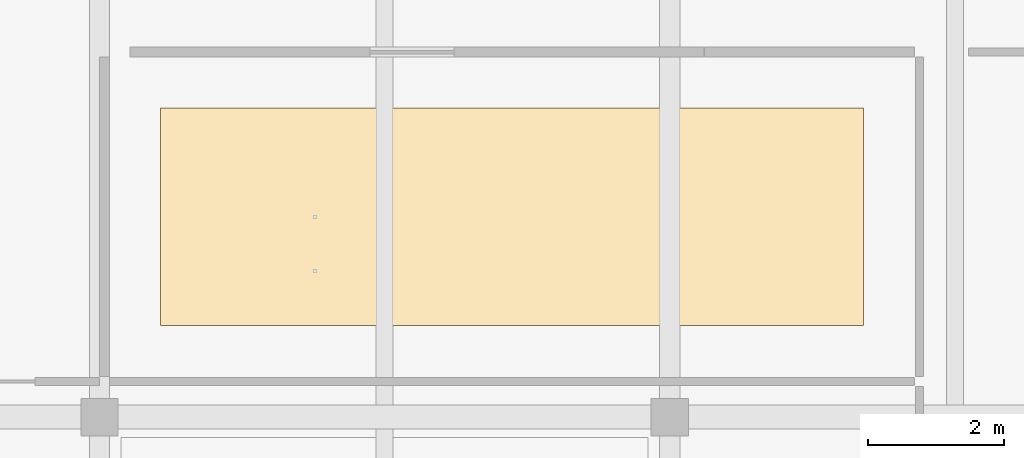
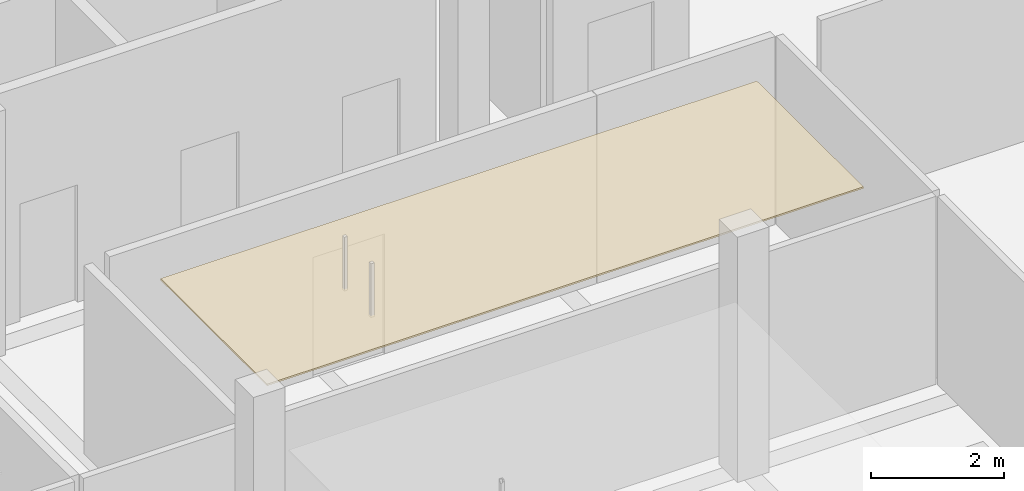
# One storey, part 16 of 20: 1 covering.
"""IFC4 building model written with IfcOpenShell, lengths in metres."""

from ifc_helpers import new_model, si_unit, direction, frame, origin, place, context, subcontext, project, spatial, polyline, outline, extrude, material, layer, layer_set, type_object, element, save


model = new_model("IFC4")

# Units and contexts
model_context = context("Model", 3, precision=1e-05, world=origin(), true_north=direction((0.0, 1.0)))
body_context = subcontext(model_context, "Body", "Model", "MODEL_VIEW")
ifc_project = project(units=[si_unit("LENGTHUNIT", "METRE"), si_unit("AREAUNIT", "SQUARE_METRE"), si_unit("VOLUMEUNIT", "CUBIC_METRE"), si_unit("PLANEANGLEUNIT", "RADIAN"), si_unit("MASSUNIT", "GRAM", prefix="KILO")], contexts=[model_context])

# Site, building, storey
site_placement = place(None, origin())
site = spatial("IfcSite", under=ifc_project, at=site_placement, CompositionType="ELEMENT")
building_placement = place(site_placement, origin())
building = spatial("IfcBuilding", under=site, at=building_placement, Name="Telukmera Botanical Conservatory", CompositionType="ELEMENT")
storey_placement = place(building_placement, frame((0.0, 0.0, 69.0)))
storey = spatial("IfcBuildingStorey", under=building, at=storey_placement, Name="L15", CompositionType="ELEMENT", Elevation=69.0)

# Covering
ifc_material = material(Name="Mineral fibre acoustic ceiling")
ifc_layer = layer(ifc_material, 0.030029296875)
ifc_layer_set = layer_set([ifc_layer], Name="Mineral fibre acoustic ceiling")
covering_type = type_object("IfcCoveringType", Name="COV-CEIL-30", PredefinedType="CEILING", material=ifc_layer_set)
covering_placement = place(storey_placement, frame((0.0, 0.0, 3.320068359375)))
element("IfcCovering", 1, at=covering_placement, inside=storey, type_object=covering_type, Name="L15 Canopy Horizon Reading Room Suspended Acoustic Ceiling", PredefinedType="CEILING", context=body_context, shape_type="SweptSolid", body=[
    extrude(outline(polyline([(76.5, 18.949951171875), (86.85009765625, 18.949951171875), (86.85009765625, 22.14990234375), (76.5, 22.14990234375), (76.5, 18.949951171875)])), origin(), (0.0, 0.0, 1.0), 0.030029296875),
])

save(model, "model.ifc")
